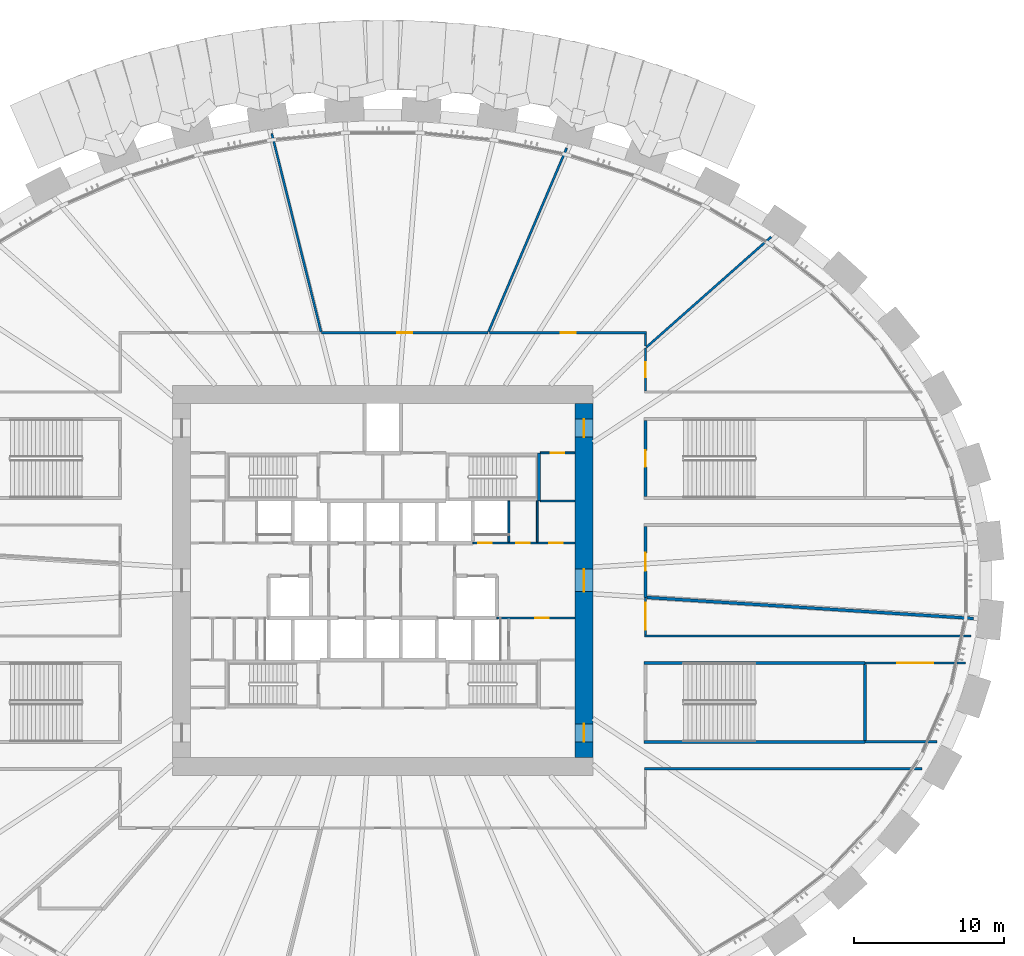
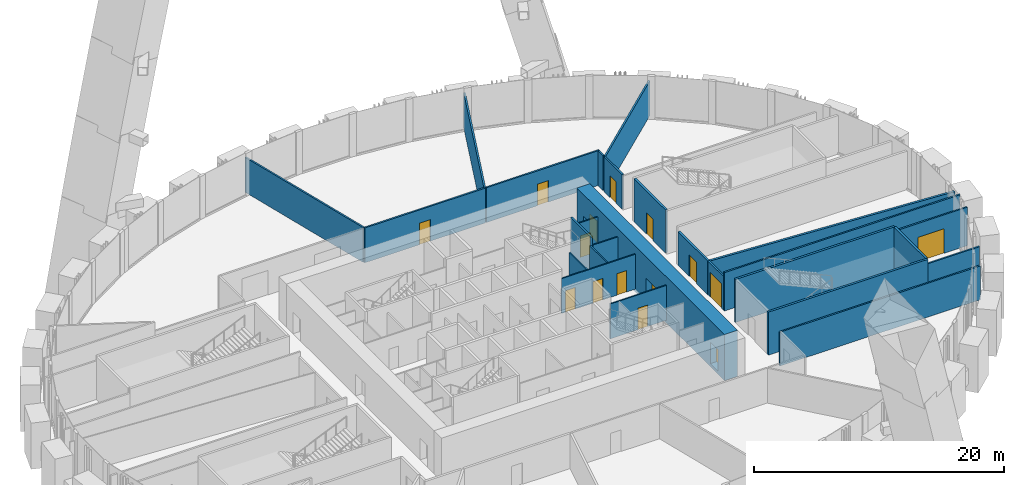
# One storey, part 11 of 23: 26 walls, 15 doors, 15 openings.
"""IFC4 building model written with IfcOpenShell, lengths in metres."""

import ifcopenshell
import ifcopenshell.guid

model = None  # the IFC model being written
_history = None  # IfcOwnerHistory: only IFC2X3 demands one
_inside = {}  # id of a spatial element -> (the spatial element, [elements in it])
_under = {}  # id of a project, library or spatial element -> (it, [spatial elements below it])
_declared = {}  # id of a project -> (the project, [libraries it declares])
_typed = {}  # id of a type object -> (the type object, [elements of that type])
_made_of = {}  # id of a material, layer set ... -> (it, [elements and type objects made of it])


def new_model(schema):
    """Start an empty IFC model of exactly this schema.

    Asked for "IFC4X3", IfcOpenShell would pick the latest addendum, in which some entities
    have other attributes; the version numbers below select the first issue.
    IFC2X3 requires an IfcOwnerHistory on every rooted entity: one is made here for all.
    """
    global model, _history
    if schema == "IFC4X3":
        model = ifcopenshell.file(schema_version=(4, 3, 0, 0))
    else:
        model = ifcopenshell.file(schema=schema)
    _inside.clear()
    _under.clear()
    _declared.clear()
    _typed.clear()
    _made_of.clear()
    _history = None
    if model.schema == "IFC2X3":
        org = make("IfcOrganization", Name="unknown")
        user = make(
            "IfcPersonAndOrganization",
            ThePerson=make("IfcPerson", FamilyName="unknown"),
            TheOrganization=org,
        )
        app = make(
            "IfcApplication",
            ApplicationDeveloper=org,
            Version="unknown",
            ApplicationFullName="unknown",
            ApplicationIdentifier="unknown",
        )
        _history = make(
            "IfcOwnerHistory",
            OwningUser=user,
            OwningApplication=app,
            ChangeAction="ADDED",
            CreationDate=0,
        )
    return model


def make(cls, **values):
    """One entity of the class cls with the attributes given. An attribute that is None is left unset."""
    return model.create_entity(
        cls, **{name: value for name, value in values.items() if value is not None}
    )


def rooted(cls, **values):
    """An entity with a GlobalId (a new one), such as an element, a storey or a relation."""
    return make(cls, GlobalId=ifcopenshell.guid.new(), OwnerHistory=_history, **values)


def si_unit(unit_type, name, prefix=None):
    """IfcSIUnit, for example si_unit("LENGTHUNIT", "METRE", prefix="MILLI")."""
    return make("IfcSIUnit", UnitType=unit_type, Prefix=prefix, Name=name)


def assignment(units):
    """IfcUnitAssignment: the units of a project."""
    return None if units is None else make("IfcUnitAssignment", Units=units)


def point(xyz):
    """IfcCartesianPoint."""
    return None if xyz is None else make("IfcCartesianPoint", Coordinates=xyz)


def direction(xyz):
    """IfcDirection."""
    return None if xyz is None else make("IfcDirection", DirectionRatios=xyz)


def frame(location, z_axis=None, x_axis=None):
    """IfcAxis2Placement3D, a coordinate frame: its origin and axes. An axis left out is left unset."""
    return make(
        "IfcAxis2Placement3D",
        Location=point(location),
        Axis=direction(z_axis),
        RefDirection=direction(x_axis),
    )


def frame_2d(location, x_axis=None):
    """IfcAxis2Placement2D, a coordinate frame in the plane: its origin and x axis."""
    return make(
        "IfcAxis2Placement2D", Location=point(location), RefDirection=direction(x_axis)
    )


def origin():
    """The frame at (0, 0, 0) with its axes left unset."""
    return frame((0.0, 0.0, 0.0))


def place(relative_to, where):
    """IfcLocalPlacement: puts the frame where relative to a parent placement (None: the world)."""
    return make(
        "IfcLocalPlacement", PlacementRelTo=relative_to, RelativePlacement=where
    )


def context(
    kind, dimensions, precision=None, world=None, true_north=None, identifier=None
):
    """IfcGeometricRepresentationContext, for example the 3D "Model" context."""
    return make(
        "IfcGeometricRepresentationContext",
        ContextIdentifier=identifier,
        ContextType=kind,
        CoordinateSpaceDimension=dimensions,
        Precision=precision,
        WorldCoordinateSystem=world,
        TrueNorth=true_north,
    )


def subcontext(parent, identifier, kind, view, scale=None):
    """IfcGeometricRepresentationSubContext, for example "Body" below "Model"."""
    return make(
        "IfcGeometricRepresentationSubContext",
        ContextIdentifier=identifier,
        ContextType=kind,
        ParentContext=parent,
        TargetScale=scale,
        TargetView=view,
    )


def project(units=None, contexts=None):
    """IfcProject with its units and contexts."""
    return rooted(
        "IfcProject",
        Name="project",
        RepresentationContexts=contexts,
        UnitsInContext=assignment(units),
    )


def spatial(cls, under=None, at=None, **own):
    """A site, building, storey or space (cls), placed at a placement, below another one or the project."""
    s = rooted(cls, ObjectPlacement=at, **own)
    if under is not None:
        _under.setdefault(under.id(), (under, []))[1].append(s)
    return s


def profile(cls, at=None, kind="AREA", **sizes):
    """A parametric profile (cls). Its sizes go by their IFC names, for example OverallWidth=200.0."""
    return make(cls, ProfileType=kind, Position=at, **sizes)


def rectangle(**sizes):
    """IfcRectangleProfileDef."""
    return profile("IfcRectangleProfileDef", **sizes)


def extrude(swept, where, along, depth):
    """IfcExtrudedAreaSolid: the profile swept, set in the frame where, extruded along a direction by depth."""
    return make(
        "IfcExtrudedAreaSolid",
        SweptArea=swept,
        Position=where,
        ExtrudedDirection=direction(along),
        Depth=depth,
    )


def shape(context_of_items, identifier, shape_type, items):
    """IfcShapeRepresentation: the items that make up one representation, for example the "Body"."""
    return make(
        "IfcShapeRepresentation",
        ContextOfItems=context_of_items,
        RepresentationIdentifier=identifier,
        RepresentationType=shape_type,
        Items=items,
    )


def source(mapping_origin, context_of_items, identifier, shape_type, items):
    """IfcRepresentationMap: a shape defined once, which mapped items show again and again."""
    return make(
        "IfcRepresentationMap",
        MappingOrigin=mapping_origin,
        MappedRepresentation=shape(context_of_items, identifier, shape_type, items),
    )


def transform(
    local_origin,
    x_axis=None,
    y_axis=None,
    z_axis=None,
    scale=None,
    scale2=None,
    scale3=None,
    uniform=True,
):
    """IfcCartesianTransformationOperator3D, or its non-uniform kind. x_axis, y_axis, z_axis: its Axis1, 2, 3."""
    if uniform:
        return make(
            "IfcCartesianTransformationOperator3D",
            Axis1=direction(x_axis),
            Axis2=direction(y_axis),
            LocalOrigin=point(local_origin),
            Scale=scale,
            Axis3=direction(z_axis),
        )
    return make(
        "IfcCartesianTransformationOperator3DnonUniform",
        Axis1=direction(x_axis),
        Axis2=direction(y_axis),
        LocalOrigin=point(local_origin),
        Scale=scale,
        Axis3=direction(z_axis),
        Scale2=scale2,
        Scale3=scale3,
    )


def mapped(mapping_source, mapping_target):
    """IfcMappedItem: shows the shape of a source again, moved by a transform."""
    return make(
        "IfcMappedItem", MappingSource=mapping_source, MappingTarget=mapping_target
    )


def material(Name=None, Category=None):
    """IfcMaterial."""
    return make("IfcMaterial", Name=Name, Category=Category)


def layer(
    of_material, thickness, ventilated=None, Name=None, Category=None, Priority=None
):
    """IfcMaterialLayer: one layer of a wall or slab, of a material (None: an air gap)."""
    return make(
        "IfcMaterialLayer",
        Material=of_material,
        LayerThickness=thickness,
        IsVentilated=ventilated,
        Name=Name,
        Category=Category,
        Priority=Priority,
    )


def layer_set(layers, Name=None):
    """IfcMaterialLayerSet."""
    return make("IfcMaterialLayerSet", MaterialLayers=layers, LayerSetName=Name)


def made_of(thing, what):
    """Note that an element or type object is made of a material, layer set ...; save() writes the relation."""
    if what is not None:
        _made_of.setdefault(what.id(), (what, []))[1].append(thing)
    return thing


def type_object(cls, material=None, **own):
    """A type object (cls), such as IfcWallType, which elements share."""
    return made_of(rooted(cls, **own), material)


def element(
    cls,
    number,
    at=None,
    inside=None,
    cuts=None,
    type_object=None,
    material=None,
    context=None,
    identifier="Body",
    shape_type=None,
    held_by="IfcProductDefinitionShape",
    body=None,
    shapes=None,
    **own,
):
    """One element of the class cls, such as IfcWall. Its Tag is "e" and its number.

    at: its placement. inside: the storey or other place that contains it. cuts: it is an
    opening in that element (IfcRelVoidsElement). A single representation is given by context,
    identifier, shape_type and body (its items); several are given by shapes. held_by: the class
    of the entity that holds the representations. save() writes the other relations.
    """
    e = rooted(cls, Tag="e%d" % number, ObjectPlacement=at, **own)
    if body is not None:
        shapes = [shape(context, identifier, shape_type, body)]
    if shapes is not None:
        e.Representation = make(held_by, Representations=shapes)
    if inside is not None:
        _inside.setdefault(inside.id(), (inside, []))[1].append(e)
    if cuts is not None:
        rooted(
            "IfcRelVoidsElement", RelatingBuildingElement=cuts, RelatedOpeningElement=e
        )
    if type_object is not None:
        _typed.setdefault(type_object.id(), (type_object, []))[1].append(e)
    return made_of(e, material)


def fill(opening, filler):
    """IfcRelFillsElement: the door or window that sits in an opening."""
    return rooted(
        "IfcRelFillsElement",
        RelatingOpeningElement=opening,
        RelatedBuildingElement=filler,
    )


def aggregate(whole, parts):
    """IfcRelAggregates: a whole, such as a stair, and the parts it consists of."""
    return rooted("IfcRelAggregates", RelatingObject=whole, RelatedObjects=parts)


def save(model, path):
    """Write the relations noted so far, then the file.

    IfcRelAggregates (storeys below a building ...), IfcRelContainedInSpatialStructure (elements
    in a storey), IfcRelDefinesByType, IfcRelAssociatesMaterial and IfcRelDeclares: one each for
    every whole, place, type object, material and project.
    """
    for whole, parts in _under.values():
        aggregate(whole, parts)
    for where, things in _inside.values():
        rooted(
            "IfcRelContainedInSpatialStructure",
            RelatedElements=things,
            RelatingStructure=where,
        )
    for kind, things in _typed.values():
        rooted("IfcRelDefinesByType", RelatedObjects=things, RelatingType=kind)
    for what, things in _made_of.values():
        rooted("IfcRelAssociatesMaterial", RelatedObjects=things, RelatingMaterial=what)
    for by, libraries in _declared.values():
        rooted("IfcRelDeclares", RelatingContext=by, RelatedDefinitions=libraries)
    model.write(path)


model = new_model("IFC4")

# Units and contexts
model_context = context("Model", 3, precision=1e-05, world=origin(), true_north=direction((0.0, 1.0)))
body_context = subcontext(model_context, "Body", "Model", "MODEL_VIEW")
ifc_project = project(units=[si_unit("LENGTHUNIT", "METRE"), si_unit("AREAUNIT", "SQUARE_METRE"), si_unit("VOLUMEUNIT", "CUBIC_METRE"), si_unit("PLANEANGLEUNIT", "RADIAN"), si_unit("MASSUNIT", "GRAM", prefix="KILO")], contexts=[model_context])

# Site, building, storey
site_placement = place(None, origin())
site = spatial("IfcSite", under=ifc_project, at=site_placement, CompositionType="ELEMENT")
building_placement = place(site_placement, origin())
building = spatial("IfcBuilding", under=site, at=building_placement, Name="Embergate Tower", CompositionType="ELEMENT")
storey_placement = place(building_placement, frame((0.0, 0.0, 29.0)))
storey = spatial("IfcBuildingStorey", under=building, at=storey_placement, Name="L03", CompositionType="ELEMENT", Elevation=29.0)

# Wall, openings, doors
ifc_material_1 = material(Name="Concrete C80", Category="concrete")
ifc_layer_1 = layer(ifc_material_1, 1.199951171875)
ifc_layer_set_1 = layer_set([ifc_layer_1], Name="Concrete C80")
wall_type_1 = type_object("IfcWallType", Name="Core outer wall C80 1200", PredefinedType="SHEAR", material=ifc_layer_set_1)
shared_shape_1 = source(origin(), body_context, "Body", "SweptSolid", [
    extrude(rectangle(XDim=23.60009765625, YDim=1.199951171875, at=frame_2d((11.800048828125, 0.0))), origin(), (0.0, 0.0, 1.0), 4.5),
])
wall_1_placement = place(storey_placement, frame((13.39990234375, -11.800048828125, -0.300048828125), z_axis=(0.0, 0.0, 1.0), x_axis=(0.0, 1.0, 0.0)))
wall_1 = element("IfcWall", 1, at=wall_1_placement, inside=storey, type_object=wall_type_1, Name="CW-L03-E", PredefinedType="SHEAR", context=body_context, shape_type="MappedRepresentation", body=[
    mapped(shared_shape_1, transform((0.0, 0.0, 0.0))),
])
shared_shape_2 = source(origin(), body_context, "Body", "SweptSolid", [
    extrude(rectangle(XDim=1.199951171875, YDim=2.10009765625, at=frame_2d((0.60009765625, 1.050048828125))), frame((0.0, 0.60986328125, 0.0), z_axis=(0.0, -1.0, 0.0), x_axis=(1.0, 0.0, 0.0)), (0.0, 0.0, 1.0), 1.219970703125),
])
opening_1_placement = place(wall_1_placement, frame((21.35009765625, 0.0, 0.300048828125)))
opening_1 = element("IfcOpeningElement", 2, at=opening_1_placement, cuts=wall_1, Name="Opening IF-1", PredefinedType="OPENING", context=body_context, shape_type="MappedRepresentation", body=[
    mapped(shared_shape_2, transform((0.0, 0.0, 0.0))),
])
opening_2_placement = place(wall_1_placement, frame((1.050048828125, 0.0, 0.300048828125)))
opening_2 = element("IfcOpeningElement", 3, at=opening_2_placement, cuts=wall_1, Name="Opening IF-1", PredefinedType="OPENING", context=body_context, shape_type="MappedRepresentation", body=[
    mapped(shared_shape_2, transform((0.0, 0.0, 0.0))),
])
shared_shape_3 = source(origin(), body_context, "Body", "SweptSolid", [
    extrude(rectangle(XDim=1.5, YDim=2.10009765625, at=frame_2d((0.75, 1.050048828125))), frame((0.0, 0.60986328125, 0.0), z_axis=(0.0, -1.0, 0.0), x_axis=(1.0, 0.0, 0.0)), (0.0, 0.0, 1.0), 1.219970703125),
])
opening_3_placement = place(wall_1_placement, frame((11.050048828125, 0.0, 0.300048828125)))
opening_3 = element("IfcOpeningElement", 4, at=opening_3_placement, cuts=wall_1, Name="Opening IF-3", PredefinedType="OPENING", context=body_context, shape_type="MappedRepresentation", body=[
    mapped(shared_shape_3, transform((0.0, 0.0, 0.0))),
])
ifc_material_2 = material(Name="Escape fire door 1200")
door_type_1 = type_object("IfcDoorType", Name="Escape fire door 1200", OperationType="SINGLE_SWING_LEFT", PredefinedType="DOOR", material=ifc_material_2)
shared_shape_4 = source(origin(), body_context, "Body", "SweptSolid", [
    extrude(rectangle(XDim=1.199951171875, YDim=2.10009765625, at=frame_2d((0.60009765625, 1.050048828125))), frame((0.0, 0.02490234375, 0.0), z_axis=(0.0, -1.0, 0.0), x_axis=(1.0, 0.0, 0.0)), (0.0, 0.0, 1.0), 0.050048828125),
])
door_1_placement = place(opening_1_placement, origin())
door_1 = element("IfcDoor", 5, at=door_1_placement, inside=storey, type_object=door_type_1, Name="IF-1 door", OperationType="SINGLE_SWING_RIGHT", OverallHeight=2.10009765625, OverallWidth=1.199951171875, PredefinedType="DOOR", context=body_context, shape_type="MappedRepresentation", body=[
    mapped(shared_shape_4, transform((0.0, 0.0, 0.0))),
])
fill(opening_1, door_1)
door_2_placement = place(opening_2_placement, origin())
door_2 = element("IfcDoor", 6, at=door_2_placement, inside=storey, type_object=door_type_1, Name="IF-1 door", OperationType="SINGLE_SWING_LEFT", OverallHeight=2.10009765625, OverallWidth=1.199951171875, PredefinedType="DOOR", context=body_context, shape_type="MappedRepresentation", body=[
    mapped(shared_shape_4, transform((0.0, 0.0, 0.0))),
])
fill(opening_2, door_2)
ifc_material_3 = material(Name="Lobby fire door pair 1500")
door_type_2 = type_object("IfcDoorType", Name="Lobby fire door pair 1500", OperationType="DOUBLE_DOOR_SINGLE_SWING", PredefinedType="DOOR", material=ifc_material_3)
shared_shape_5 = source(origin(), body_context, "Body", "SweptSolid", [
    extrude(rectangle(XDim=1.5, YDim=2.10009765625, at=frame_2d((0.75, 1.050048828125))), frame((0.0, 0.02490234375, 0.0), z_axis=(0.0, -1.0, 0.0), x_axis=(1.0, 0.0, 0.0)), (0.0, 0.0, 1.0), 0.050048828125),
])
door_3_placement = place(opening_3_placement, origin())
door_3 = element("IfcDoor", 7, at=door_3_placement, inside=storey, type_object=door_type_2, Name="IF-3 door", OperationType="DOUBLE_DOOR_SINGLE_SWING", OverallHeight=2.10009765625, OverallWidth=1.5, PredefinedType="DOOR", context=body_context, shape_type="MappedRepresentation", body=[
    mapped(shared_shape_5, transform((0.0, 0.0, 0.0))),
])
fill(opening_3, door_3)

ifc_material_4 = material(Name="Core partition blockwork 120")
ifc_layer_2 = layer(ifc_material_4, 0.1201171875)
ifc_layer_set_2 = layer_set([ifc_layer_2], Name="Core partition blockwork 120")
wall_type_2 = type_object("IfcWallType", Name="Core partition blockwork 120", PredefinedType="PARTITIONING", material=ifc_layer_set_2)
shared_shape_6 = source(origin(), body_context, "Body", "SweptSolid", [
    extrude(rectangle(XDim=6.800048828125, YDim=0.1201171875, at=frame_2d((3.39990234375, 0.0))), origin(), (0.0, 0.0, 1.0), 3.39990234375),
])
wall_2_placement = place(storey_placement, frame((6.0, 2.5, 0.0), z_axis=(0.0, 0.0, 1.0), x_axis=(1.0, 0.0, 0.0)))
wall_2 = element("IfcWall", 8, at=wall_2_placement, inside=storey, type_object=wall_type_2, Name="IP-3 wall", PredefinedType="PARTITIONING", context=body_context, shape_type="MappedRepresentation", body=[
    mapped(shared_shape_6, transform((0.0, 0.0, 0.0))),
])
shared_shape_7 = source(origin(), body_context, "Body", "SweptSolid", [
    extrude(rectangle(XDim=0.89990234375, YDim=2.10009765625, at=frame_2d((0.449951171875, 1.050048828125))), frame((0.0, 0.070068359375, 0.0), z_axis=(0.0, -1.0, 0.0), x_axis=(1.0, 0.0, 0.0)), (0.0, 0.0, 1.0), 0.14013671875),
])
opening_4_placement = place(wall_2_placement, frame((0.35009765625, 0.0, 0.0)))
opening_4 = element("IfcOpeningElement", 9, at=opening_4_placement, cuts=wall_2, Name="Opening ID-1", PredefinedType="OPENING", context=body_context, shape_type="MappedRepresentation", body=[
    mapped(shared_shape_7, transform((0.0, 0.0, 0.0))),
])
opening_5_placement = place(wall_2_placement, frame((2.89599609375, 0.0, 0.0)))
opening_5 = element("IfcOpeningElement", 10, at=opening_5_placement, cuts=wall_2, Name="Opening ID-1", PredefinedType="OPENING", context=body_context, shape_type="MappedRepresentation", body=[
    mapped(shared_shape_7, transform((0.0, 0.0, 0.0))),
])
opening_6_placement = place(wall_2_placement, frame((5.095947265625, 0.0, 0.0)))
opening_6 = element("IfcOpeningElement", 11, at=opening_6_placement, cuts=wall_2, Name="Opening ID-1", PredefinedType="OPENING", context=body_context, shape_type="MappedRepresentation", body=[
    mapped(shared_shape_7, transform((0.0, 0.0, 0.0))),
])
ifc_material_5 = material(Name="Interior door 900")
door_type_3 = type_object("IfcDoorType", Name="Interior door 900", OperationType="SINGLE_SWING_LEFT", PredefinedType="DOOR", material=ifc_material_5)
shared_shape_8 = source(origin(), body_context, "Body", "SweptSolid", [
    extrude(rectangle(XDim=0.89990234375, YDim=2.10009765625, at=frame_2d((0.449951171875, 1.050048828125))), frame((0.0, 0.02490234375, 0.0), z_axis=(0.0, -1.0, 0.0), x_axis=(1.0, 0.0, 0.0)), (0.0, 0.0, 1.0), 0.050048828125),
])
door_4_placement = place(opening_4_placement, origin())
door_4 = element("IfcDoor", 12, at=door_4_placement, inside=storey, type_object=door_type_3, Name="ID-1 door", OperationType="SINGLE_SWING_RIGHT", OverallHeight=2.10009765625, OverallWidth=0.89990234375, PredefinedType="DOOR", context=body_context, shape_type="MappedRepresentation", body=[
    mapped(shared_shape_8, transform((0.0, 0.0, 0.0))),
])
fill(opening_4, door_4)
door_5_placement = place(opening_5_placement, origin())
door_5 = element("IfcDoor", 13, at=door_5_placement, inside=storey, type_object=door_type_3, Name="ID-1 door", OperationType="SINGLE_SWING_LEFT", OverallHeight=2.10009765625, OverallWidth=0.89990234375, PredefinedType="DOOR", context=body_context, shape_type="MappedRepresentation", body=[
    mapped(shared_shape_8, transform((0.0, 0.0, 0.0))),
])
fill(opening_5, door_5)
door_6_placement = place(opening_6_placement, origin())
door_6 = element("IfcDoor", 14, at=door_6_placement, inside=storey, type_object=door_type_3, Name="ID-1 door", OperationType="SINGLE_SWING_LEFT", OverallHeight=2.10009765625, OverallWidth=0.89990234375, PredefinedType="DOOR", context=body_context, shape_type="MappedRepresentation", body=[
    mapped(shared_shape_8, transform((0.0, 0.0, 0.0))),
])
fill(opening_6, door_6)

# Walls
shared_shape_9 = source(origin(), body_context, "Body", "SweptSolid", [
    extrude(rectangle(XDim=2.739990234375, YDim=0.1201171875, at=frame_2d((1.3701171875, 0.0))), origin(), (0.0, 0.0, 1.0), 3.39990234375),
])
for number, where, z_axis, x_axis, name in (
    (15, (8.39990234375, 2.56005859375, 0.0), (0.0, 0.0, 1.0), (0.0, 1.0, 0.0), "IP-3 wall"),
    (16, (10.2919921875, 2.56005859375, 0.0), (0.0, 0.0, 1.0), (0.0, 1.0, 0.0), "IP-3 wall"),
):
    element("IfcWall", number, at=place(storey_placement, frame(where, z_axis=z_axis, x_axis=x_axis)), inside=storey, type_object=wall_type_2, Name=name, PredefinedType="PARTITIONING", context=body_context, shape_type="MappedRepresentation", body=[
        mapped(shared_shape_9, transform((0.0, 0.0, 0.0))),
    ])

# Wall, opening, door
shared_shape_10 = source(origin(), body_context, "Body", "SweptSolid", [
    extrude(rectangle(XDim=5.199951171875, YDim=0.1201171875, at=frame_2d((2.60009765625, 0.0))), origin(), (0.0, 0.0, 1.0), 3.39990234375),
])
wall_3_placement = place(storey_placement, frame((12.800048828125, -2.5, 0.0), z_axis=(0.0, 0.0, 1.0), x_axis=(-1.0, 0.0, 0.0)))
wall_3 = element("IfcWall", 17, at=wall_3_placement, inside=storey, type_object=wall_type_2, Name="IP-3 wall", PredefinedType="PARTITIONING", context=body_context, shape_type="MappedRepresentation", body=[
    mapped(shared_shape_10, transform((0.0, 0.0, 0.0))),
])
opening_7_placement = place(wall_3_placement, frame((1.75, 0.0, 0.0)))
opening_7 = element("IfcOpeningElement", 18, at=opening_7_placement, cuts=wall_3, Name="Opening ID-1", PredefinedType="OPENING", context=body_context, shape_type="MappedRepresentation", body=[
    mapped(shared_shape_7, transform((0.0, 0.0, 0.0))),
])
door_7_placement = place(opening_7_placement, origin())
door_7 = element("IfcDoor", 19, at=door_7_placement, inside=storey, type_object=door_type_3, Name="ID-1 door", OperationType="SINGLE_SWING_RIGHT", OverallHeight=2.10009765625, OverallWidth=0.89990234375, PredefinedType="DOOR", context=body_context, shape_type="MappedRepresentation", body=[
    mapped(shared_shape_8, transform((0.0, 0.0, 0.0))),
])
fill(opening_7, door_7)

# Wall
ifc_material_6 = material(Name="Concrete C50", Category="concrete")
ifc_layer_3 = layer(ifc_material_6, 0.199951171875)
ifc_layer_set_3 = layer_set([ifc_layer_3], Name="Concrete C50")
wall_type_3 = type_object("IfcWallType", Name="Stair enclosure wall reinforced concrete 250", PredefinedType="SHEAR", material=ifc_layer_set_3)
shared_shape_11 = source(origin(), body_context, "Body", "SweptSolid", [
    extrude(rectangle(XDim=3.199951171875, YDim=0.199951171875, at=frame_2d((1.60009765625, 0.0))), origin(), (0.0, 0.0, 1.0), 4.199951171875),
])
wall_4_placement = place(storey_placement, frame((10.39990234375, 5.300048828125, 0.0), z_axis=(0.0, 0.0, 1.0), x_axis=(0.0, 1.0, 0.0)))
element("IfcWall", 20, at=wall_4_placement, inside=storey, type_object=wall_type_3, Name="SE-1 wall", PredefinedType="SHEAR", context=body_context, shape_type="MappedRepresentation", body=[
    mapped(shared_shape_11, transform((0.0, 0.0, 0.0))),
])

# Wall, opening, door
shared_shape_12 = source(origin(), body_context, "Body", "SweptSolid", [
    extrude(rectangle(XDim=2.300048828125, YDim=0.1201171875, at=frame_2d((1.14990234375, 0.0))), origin(), (0.0, 0.0, 1.0), 3.39990234375),
])
wall_5_placement = place(storey_placement, frame((10.5, 8.5, 0.0), z_axis=(0.0, 0.0, 1.0), x_axis=(1.0, 0.0, 0.0)))
wall_5 = element("IfcWall", 21, at=wall_5_placement, inside=storey, type_object=wall_type_2, Name="IP-3 wall", PredefinedType="PARTITIONING", context=body_context, shape_type="MappedRepresentation", body=[
    mapped(shared_shape_12, transform((0.0, 0.0, 0.0))),
])
opening_8_placement = place(wall_5_placement, frame((0.699951171875, 0.0, 0.0)))
opening_8 = element("IfcOpeningElement", 22, at=opening_8_placement, cuts=wall_5, Name="Opening ID-1", PredefinedType="OPENING", context=body_context, shape_type="MappedRepresentation", body=[
    mapped(shared_shape_7, transform((0.0, 0.0, 0.0))),
])
door_8_placement = place(opening_8_placement, origin())
door_8 = element("IfcDoor", 23, at=door_8_placement, inside=storey, type_object=door_type_3, Name="ID-1 door", OperationType="SINGLE_SWING_LEFT", OverallHeight=2.10009765625, OverallWidth=0.89990234375, PredefinedType="DOOR", context=body_context, shape_type="MappedRepresentation", body=[
    mapped(shared_shape_8, transform((0.0, 0.0, 0.0))),
])
fill(opening_8, door_8)

# Walls
wall_6_placement = place(storey_placement, frame((12.800048828125, 5.300048828125, 0.0), z_axis=(0.0, 0.0, 1.0), x_axis=(-1.0, 0.0, 0.0)))
element("IfcWall", 24, at=wall_6_placement, inside=storey, type_object=wall_type_2, Name="IP-3 wall", PredefinedType="PARTITIONING", context=body_context, shape_type="MappedRepresentation", body=[
    mapped(shared_shape_12, transform((0.0, 0.0, 0.0))),
])
ifc_material_7 = material(Name="Plasterboard on steel stud", Category="steel")
ifc_layer_4 = layer(ifc_material_7, 0.14990234375)
ifc_layer_set_4 = layer_set([ifc_layer_4], Name="Plasterboard on steel stud")
wall_type_4 = type_object("IfcWallType", Name="Partition wall 150 board", PredefinedType="PARTITIONING", material=ifc_layer_set_4)
shared_shape_13 = source(origin(), body_context, "Body", "SweptSolid", [
    extrude(rectangle(XDim=21.764892578125, YDim=0.14990234375, at=frame_2d((10.88232421875, 0.0))), origin(), (0.0, 0.0, 1.0), 3.75),
])
wall_7_placement = place(storey_placement, frame((39.18994140625, -3.699951171875, 0.0), z_axis=(0.0, 0.0, 1.0), x_axis=(-1.0, 0.0, 0.0)))
element("IfcWall", 25, at=wall_7_placement, inside=storey, type_object=wall_type_4, Name="Partition 066", PredefinedType="PARTITIONING", context=body_context, shape_type="MappedRepresentation", body=[
    mapped(shared_shape_13, transform((0.0, 0.0, 0.0))),
])

# Wall, opening, door
shared_shape_14 = source(origin(), body_context, "Body", "SweptSolid", [
    extrude(rectangle(XDim=6.7119140625, YDim=0.14990234375, at=frame_2d((3.35595703125, 0.0))), origin(), (0.0, 0.0, 1.0), 3.75),
])
wall_8_placement = place(storey_placement, frame((32.1201171875, -5.5, 0.0), z_axis=(0.0, 0.0, 1.0), x_axis=(1.0, 0.0, 0.0)))
wall_8 = element("IfcWall", 26, at=wall_8_placement, inside=storey, type_object=wall_type_4, Name="Partition 059", PredefinedType="PARTITIONING", context=body_context, shape_type="MappedRepresentation", body=[
    mapped(shared_shape_14, transform((0.0, 0.0, 0.0))),
])
shared_shape_15 = source(origin(), body_context, "Body", "SweptSolid", [
    extrude(rectangle(XDim=2.39990234375, YDim=2.39990234375, at=frame_2d((1.199951171875, 1.199951171875))), frame((0.0, 0.0849609375, 0.0), z_axis=(0.0, -1.0, 0.0), x_axis=(1.0, 0.0, 0.0)), (0.0, 0.0, 1.0), 0.169921875),
])
opening_9_placement = place(wall_8_placement, frame((2.156005859375, 0.0, 0.0)))
opening_9 = element("IfcOpeningElement", 27, at=opening_9_placement, cuts=wall_8, Name="Opening DS-078", PredefinedType="OPENING", context=body_context, shape_type="MappedRepresentation", body=[
    mapped(shared_shape_15, transform((0.0, 0.0, 0.0))),
])
ifc_material_8 = material(Name="Timber door leaf, steel frame", Category="steel")
door_type_4 = type_object("IfcDoorType", Name="Double door 2400x2400", OperationType="DOUBLE_DOOR_SINGLE_SWING", PredefinedType="DOOR", material=ifc_material_8)
shared_shape_16 = source(origin(), body_context, "Body", "SweptSolid", [
    extrude(rectangle(XDim=2.39990234375, YDim=2.39990234375, at=frame_2d((1.199951171875, 1.199951171875))), frame((0.0, 0.02490234375, 0.0), z_axis=(0.0, -1.0, 0.0), x_axis=(1.0, 0.0, 0.0)), (0.0, 0.0, 1.0), 0.050048828125),
])
door_9_placement = place(opening_9_placement, origin())
door_9 = element("IfcDoor", 28, at=door_9_placement, inside=storey, type_object=door_type_4, Name="Door to Auditorium", OperationType="SINGLE_SWING_LEFT", OverallHeight=2.39990234375, OverallWidth=2.39990234375, PredefinedType="DOOR", context=body_context, shape_type="MappedRepresentation", body=[
    mapped(shared_shape_16, transform((0.0, 0.0, 0.0))),
])
fill(opening_9, door_9)

# Walls
shared_shape_17 = source(origin(), body_context, "Body", "SweptSolid", [
    extrude(rectangle(XDim=4.796875, YDim=0.14990234375, at=frame_2d((2.3984375, 0.0))), origin(), (0.0, 0.0, 1.0), 3.75),
])
wall_9_placement = place(storey_placement, frame((36.9169921875, -10.75, 0.0), z_axis=(0.0, 0.0, 1.0), x_axis=(-1.0, 0.0, 0.0)))
element("IfcWall", 29, at=wall_9_placement, inside=storey, type_object=wall_type_4, Name="Partition 064", PredefinedType="PARTITIONING", context=body_context, shape_type="MappedRepresentation", body=[
    mapped(shared_shape_17, transform((0.0, 0.0, 0.0))),
])
ifc_material_9 = material(Name="Concrete C40", Category="concrete")
ifc_layer_5 = layer(ifc_material_9, 0.199951171875)
ifc_layer_set_5 = layer_set([ifc_layer_5], Name="Concrete C40")
wall_type_5 = type_object("IfcWallType", Name="Stair enclosure wall RC 200", PredefinedType="STANDARD", material=ifc_layer_set_5)
shared_shape_18 = source(origin(), body_context, "Body", "SweptSolid", [
    extrude(rectangle(XDim=14.72021484375, YDim=0.199951171875, at=frame_2d((7.360107421875, 0.0))), origin(), (0.0, 0.0, 1.0), 4.199951171875),
])
for number, where, z_axis, x_axis, name in (
    (30, (17.39990234375, -10.75, 0.0), (0.0, 0.0, 1.0), (1.0, 0.0, 0.0), "Stair wall 046"),
    (31, (32.1201171875, -5.5, 0.0), (0.0, 0.0, 1.0), (-1.0, 0.0, 0.0), "Stair wall 058"),
):
    element("IfcWall", number, at=place(storey_placement, frame(where, z_axis=z_axis, x_axis=x_axis)), inside=storey, type_object=wall_type_5, Name=name, PredefinedType="STANDARD", context=body_context, shape_type="MappedRepresentation", body=[
        mapped(shared_shape_18, transform((0.0, 0.0, 0.0))),
    ])

# Wall, opening, door
shared_shape_19 = source(origin(), body_context, "Body", "SweptSolid", [
    extrude(rectangle(XDim=5.0498046875, YDim=0.199951171875, at=frame_2d((2.52490234375, 0.0))), origin(), (0.0, 0.0, 1.0), 4.199951171875),
])
wall_10_placement = place(storey_placement, frame((17.5, 10.64990234375, 0.0), z_axis=(0.0, 0.0, 1.0), x_axis=(0.0, -1.0, 0.0)))
wall_10 = element("IfcWall", 32, at=wall_10_placement, inside=storey, type_object=wall_type_5, Name="Stair wall 053", PredefinedType="STANDARD", context=body_context, shape_type="MappedRepresentation", body=[
    mapped(shared_shape_19, transform((0.0, 0.0, 0.0))),
])
shared_shape_20 = source(origin(), body_context, "Body", "SweptSolid", [
    extrude(rectangle(XDim=1.10009765625, YDim=2.10009765625, at=frame_2d((0.550048828125, 1.050048828125))), frame((0.0, 0.10986328125, 0.0), z_axis=(0.0, -1.0, 0.0), x_axis=(1.0, 0.0, 0.0)), (0.0, 0.0, 1.0), 0.219970703125),
])
opening_10_placement = place(wall_10_placement, frame((1.97509765625, 0.0, 0.0)))
opening_10 = element("IfcOpeningElement", 33, at=opening_10_placement, cuts=wall_10, Name="Opening DS-082", PredefinedType="OPENING", context=body_context, shape_type="MappedRepresentation", body=[
    mapped(shared_shape_20, transform((0.0, 0.0, 0.0))),
])
ifc_material_10 = material(Name="Steel fire door leaf", Category="steel")
door_type_5 = type_object("IfcDoorType", Name="Fire door class B 1100x2100", OperationType="SINGLE_SWING_LEFT", PredefinedType="DOOR", material=ifc_material_10)
shared_shape_21 = source(origin(), body_context, "Body", "SweptSolid", [
    extrude(rectangle(XDim=1.10009765625, YDim=2.10009765625, at=frame_2d((0.550048828125, 1.050048828125))), frame((0.0, 0.02490234375, 0.0), z_axis=(0.0, -1.0, 0.0), x_axis=(1.0, 0.0, 0.0)), (0.0, 0.0, 1.0), 0.050048828125),
])
door_10_placement = place(opening_10_placement, origin())
door_10 = element("IfcDoor", 34, at=door_10_placement, inside=storey, type_object=door_type_5, Name="Door to Exit stair enclosure", OperationType="SINGLE_SWING_LEFT", OverallHeight=2.10009765625, OverallWidth=1.10009765625, PredefinedType="DOOR", context=body_context, shape_type="MappedRepresentation", body=[
    mapped(shared_shape_21, transform((0.0, 0.0, 0.0))),
])
fill(opening_10, door_10)

# Wall
wall_11_placement = place(storey_placement, frame((32.1201171875, -10.64990234375, 0.0), z_axis=(0.0, 0.0, 1.0), x_axis=(0.0, 1.0, 0.0)))
element("IfcWall", 35, at=wall_11_placement, inside=storey, type_object=wall_type_5, Name="Stair wall 057", PredefinedType="STANDARD", context=body_context, shape_type="MappedRepresentation", body=[
    mapped(shared_shape_19, transform((0.0, 0.0, 0.0))),
])

# Wall, opening, door
shared_shape_22 = source(origin(), body_context, "Body", "SweptSolid", [
    extrude(rectangle(XDim=2.498046875, YDim=0.14990234375, at=frame_2d((1.2490234375, 0.0))), origin(), (0.0, 0.0, 1.0), 3.300048828125),
])
wall_12_placement = place(storey_placement, frame((17.5, -1.126953125, 0.0), z_axis=(0.0, 0.0, 1.0), x_axis=(0.0, -1.0, 0.0)))
wall_12 = element("IfcWall", 36, at=wall_12_placement, inside=storey, type_object=wall_type_4, Name="Partition 048", PredefinedType="PARTITIONING", context=body_context, shape_type="MappedRepresentation", body=[
    mapped(shared_shape_22, transform((0.0, 0.0, 0.0))),
])
shared_shape_23 = source(origin(), body_context, "Body", "SweptSolid", [
    extrude(rectangle(XDim=1.800048828125, YDim=2.39990234375, at=frame_2d((0.89990234375, 1.199951171875))), frame((0.0, 0.0849609375, 0.0), z_axis=(0.0, -1.0, 0.0), x_axis=(1.0, 0.0, 0.0)), (0.0, 0.0, 1.0), 0.169921875),
])
opening_11_placement = place(wall_12_placement, frame((0.34912109375, 0.0, 0.0)))
opening_11 = element("IfcOpeningElement", 37, at=opening_11_placement, cuts=wall_12, Name="Opening DS-079", PredefinedType="OPENING", context=body_context, shape_type="MappedRepresentation", body=[
    mapped(shared_shape_23, transform((0.0, 0.0, 0.0))),
])
door_type_6 = type_object("IfcDoorType", Name="Double door 1800x2400", OperationType="DOUBLE_DOOR_SINGLE_SWING", PredefinedType="DOOR", material=ifc_material_8)
shared_shape_24 = source(origin(), body_context, "Body", "SweptSolid", [
    extrude(rectangle(XDim=1.800048828125, YDim=2.39990234375, at=frame_2d((0.89990234375, 1.199951171875))), frame((0.0, 0.02490234375, 0.0), z_axis=(0.0, -1.0, 0.0), x_axis=(1.0, 0.0, 0.0)), (0.0, 0.0, 1.0), 0.050048828125),
])
door_11_placement = place(opening_11_placement, origin())
door_11 = element("IfcDoor", 38, at=door_11_placement, inside=storey, type_object=door_type_6, Name="Door to Auditorium", OperationType="SINGLE_SWING_LEFT", OverallHeight=2.39990234375, OverallWidth=1.800048828125, PredefinedType="DOOR", context=body_context, shape_type="MappedRepresentation", body=[
    mapped(shared_shape_24, transform((0.0, 0.0, 0.0))),
])
fill(opening_11, door_11)

# Wall
shared_shape_25 = source(origin(), body_context, "Body", "SweptSolid", [
    extrude(rectangle(XDim=13.60302734375, YDim=0.14990234375, at=frame_2d((6.801513671875, 0.0))), origin(), (0.0, 0.0, 1.0), 3.39990234375),
])
wall_13_placement = place(storey_placement, frame((-4.116943359375, 16.572998046875, 0.0), z_axis=(0.0, 0.0, 1.0), x_axis=(-0.24105308827, 0.970511931218, 0.0)))
element("IfcWall", 39, at=wall_13_placement, inside=storey, type_object=wall_type_4, Name="Partition 035", PredefinedType="PARTITIONING", context=body_context, shape_type="MappedRepresentation", body=[
    mapped(shared_shape_25, transform((0.0, 0.0, 0.0))),
])

# Wall, opening, door
shared_shape_26 = source(origin(), body_context, "Body", "SweptSolid", [
    extrude(rectangle(XDim=11.1162109375, YDim=0.14990234375, at=frame_2d((5.55810546875, 0.0))), origin(), (0.0, 0.0, 1.0), 3.39990234375),
])
wall_14_placement = place(storey_placement, frame((-4.09912109375, 16.5, 0.0), z_axis=(0.0, 0.0, 1.0), x_axis=(1.0, 0.0, 0.0)))
wall_14 = element("IfcWall", 40, at=wall_14_placement, inside=storey, type_object=wall_type_4, Name="Partition 036", PredefinedType="PARTITIONING", context=body_context, shape_type="MappedRepresentation", body=[
    mapped(shared_shape_26, transform((0.0, 0.0, 0.0))),
])
shared_shape_27 = source(origin(), body_context, "Body", "SweptSolid", [
    extrude(rectangle(XDim=1.0, YDim=2.10009765625, at=frame_2d((0.5, 1.050048828125))), frame((0.0, 0.0849609375, 0.0), z_axis=(0.0, -1.0, 0.0), x_axis=(1.0, 0.0, 0.0)), (0.0, 0.0, 1.0), 0.169921875),
])
opening_12_placement = place(wall_14_placement, frame((5.05810546875, 0.0, 0.0)))
opening_12 = element("IfcOpeningElement", 41, at=opening_12_placement, cuts=wall_14, Name="Opening DS-062", PredefinedType="OPENING", context=body_context, shape_type="MappedRepresentation", body=[
    mapped(shared_shape_27, transform((0.0, 0.0, 0.0))),
])
door_type_7 = type_object("IfcDoorType", Name="Single door 1000x2100", OperationType="SINGLE_SWING_LEFT", PredefinedType="DOOR", material=ifc_material_8)
shared_shape_28 = source(origin(), body_context, "Body", "SweptSolid", [
    extrude(rectangle(XDim=1.0, YDim=2.10009765625, at=frame_2d((0.5, 1.050048828125))), frame((0.0, 0.02490234375, 0.0), z_axis=(0.0, -1.0, 0.0), x_axis=(1.0, 0.0, 0.0)), (0.0, 0.0, 1.0), 0.050048828125),
])
door_12_placement = place(opening_12_placement, origin())
door_12 = element("IfcDoor", 42, at=door_12_placement, inside=storey, type_object=door_type_7, Name="Door to Interpreters' office", OperationType="SINGLE_SWING_LEFT", OverallHeight=2.10009765625, OverallWidth=1.0, PredefinedType="DOOR", context=body_context, shape_type="MappedRepresentation", body=[
    mapped(shared_shape_28, transform((0.0, 0.0, 0.0))),
])
fill(opening_12, door_12)

# Wall
shared_shape_29 = source(origin(), body_context, "Body", "SweptSolid", [
    extrude(rectangle(XDim=13.306396484375, YDim=0.14990234375, at=frame_2d((6.6533203125, 0.0))), origin(), (0.0, 0.0, 1.0), 3.39990234375),
])
wall_15_placement = place(storey_placement, frame((7.0458984375, 16.569091796875, 0.0), z_axis=(0.0, 0.0, 1.0), x_axis=(0.391391217873, 0.920224382731, 0.0)))
element("IfcWall", 43, at=wall_15_placement, inside=storey, type_object=wall_type_4, Name="Partition 039", PredefinedType="PARTITIONING", context=body_context, shape_type="MappedRepresentation", body=[
    mapped(shared_shape_29, transform((0.0, 0.0, 0.0))),
])

# Wall, opening, door
shared_shape_30 = source(origin(), body_context, "Body", "SweptSolid", [
    extrude(rectangle(XDim=10.4580078125, YDim=0.14990234375, at=frame_2d((5.22900390625, 0.0))), origin(), (0.0, 0.0, 1.0), 3.39990234375),
])
wall_16_placement = place(storey_placement, frame((7.116943359375, 16.5, 0.0), z_axis=(0.0, 0.0, 1.0), x_axis=(1.0, 0.0, 0.0)))
wall_16 = element("IfcWall", 44, at=wall_16_placement, inside=storey, type_object=wall_type_4, Name="Partition 040", PredefinedType="PARTITIONING", context=body_context, shape_type="MappedRepresentation", body=[
    mapped(shared_shape_30, transform((0.0, 0.0, 0.0))),
])
opening_13_placement = place(wall_16_placement, frame((4.72900390625, 0.0, 0.0)))
opening_13 = element("IfcOpeningElement", 45, at=opening_13_placement, cuts=wall_16, Name="Opening DS-061", PredefinedType="OPENING", context=body_context, shape_type="MappedRepresentation", body=[
    mapped(shared_shape_27, transform((0.0, 0.0, 0.0))),
])
door_13_placement = place(opening_13_placement, origin())
door_13 = element("IfcDoor", 46, at=door_13_placement, inside=storey, type_object=door_type_7, Name="Door to Catering kitchen", OperationType="SINGLE_SWING_LEFT", OverallHeight=2.10009765625, OverallWidth=1.0, PredefinedType="DOOR", context=body_context, shape_type="MappedRepresentation", body=[
    mapped(shared_shape_28, transform((0.0, 0.0, 0.0))),
])
fill(opening_13, door_13)

# Walls
shared_shape_31 = source(origin(), body_context, "Body", "SweptSolid", [
    extrude(rectangle(XDim=18.510986328125, YDim=0.14990234375, at=frame_2d((9.25537109375, 0.0))), origin(), (0.0, 0.0, 1.0), 3.300048828125),
])
wall_17_placement = place(storey_placement, frame((17.425048828125, -12.550048828125, 0.0), z_axis=(0.0, 0.0, 1.0), x_axis=(1.0, 0.0, 0.0)))
element("IfcWall", 47, at=wall_17_placement, inside=storey, type_object=wall_type_4, Name="Partition 045", PredefinedType="PARTITIONING", context=body_context, shape_type="MappedRepresentation", body=[
    mapped(shared_shape_31, transform((0.0, 0.0, 0.0))),
])
ifc_material_11 = material(Name="Blockwork, plastered", Category="masonry")
ifc_layer_6 = layer(ifc_material_11, 0.199951171875)
ifc_layer_set_6 = layer_set([ifc_layer_6], Name="Blockwork, plastered")
wall_type_6 = type_object("IfcWallType", Name="Fire partition wall 200 block", PredefinedType="PARTITIONING", material=ifc_layer_set_6)
shared_shape_32 = source(origin(), body_context, "Body", "SweptSolid", [
    extrude(rectangle(XDim=21.801025390625, YDim=0.199951171875, at=frame_2d((10.900390625, 0.0))), origin(), (0.0, 0.0, 1.0), 3.300048828125),
])
wall_18_placement = place(storey_placement, frame((17.60009765625, -1.133056640625, 0.0), z_axis=(0.0, 0.0, 1.0), x_axis=(0.997933331734, -0.064257804308, 0.0)))
element("IfcWall", 48, at=wall_18_placement, inside=storey, type_object=wall_type_6, Name="Partition 049", PredefinedType="PARTITIONING", context=body_context, shape_type="MappedRepresentation", body=[
    mapped(shared_shape_32, transform((0.0, 0.0, 0.0))),
])

# Wall, opening, door
shared_shape_33 = source(origin(), body_context, "Body", "SweptSolid", [
    extrude(rectangle(XDim=4.72705078125, YDim=0.199951171875, at=frame_2d((2.363525390625, 0.0))), origin(), (0.0, 0.0, 1.0), 3.300048828125),
])
wall_19_placement = place(storey_placement, frame((17.5, 3.60009765625, 0.0), z_axis=(0.0, 0.0, 1.0), x_axis=(0.0, -1.0, 0.0)))
wall_19 = element("IfcWall", 49, at=wall_19_placement, inside=storey, type_object=wall_type_6, Name="Partition 050", PredefinedType="PARTITIONING", context=body_context, shape_type="MappedRepresentation", body=[
    mapped(shared_shape_33, transform((0.0, 0.0, 0.0))),
])
shared_shape_34 = source(origin(), body_context, "Body", "SweptSolid", [
    extrude(rectangle(XDim=1.199951171875, YDim=2.10009765625, at=frame_2d((0.60009765625, 1.050048828125))), frame((0.0, 0.10986328125, 0.0), z_axis=(0.0, -1.0, 0.0), x_axis=(1.0, 0.0, 0.0)), (0.0, 0.0, 1.0), 0.219970703125),
])
opening_14_placement = place(wall_19_placement, frame((1.763916015625, 0.0, 0.0)))
opening_14 = element("IfcOpeningElement", 50, at=opening_14_placement, cuts=wall_19, Name="Opening DS-080", PredefinedType="OPENING", context=body_context, shape_type="MappedRepresentation", body=[
    mapped(shared_shape_34, transform((0.0, 0.0, 0.0))),
])
door_type_8 = type_object("IfcDoorType", Name="Plant door 1200x2100", OperationType="SINGLE_SWING_LEFT", PredefinedType="DOOR", material=ifc_material_8)
shared_shape_35 = source(origin(), body_context, "Body", "SweptSolid", [
    extrude(rectangle(XDim=1.199951171875, YDim=2.10009765625, at=frame_2d((0.60009765625, 1.050048828125))), frame((0.0, 0.02490234375, 0.0), z_axis=(0.0, -1.0, 0.0), x_axis=(1.0, 0.0, 0.0)), (0.0, 0.0, 1.0), 0.050048828125),
])
door_14_placement = place(opening_14_placement, origin())
door_14 = element("IfcDoor", 51, at=door_14_placement, inside=storey, type_object=door_type_8, Name="Door to Catering kitchen", OperationType="SINGLE_SWING_LEFT", OverallHeight=2.10009765625, OverallWidth=1.199951171875, PredefinedType="DOOR", context=body_context, shape_type="MappedRepresentation", body=[
    mapped(shared_shape_35, transform((0.0, 0.0, 0.0))),
])
fill(opening_14, door_14)

shared_shape_36 = source(origin(), body_context, "Body", "SweptSolid", [
    extrude(rectangle(XDim=2.85693359375, YDim=0.14990234375, at=frame_2d((1.428466796875, 0.0))), origin(), (0.0, 0.0, 1.0), 3.39990234375),
])
wall_20_placement = place(storey_placement, frame((17.5, 15.48193359375, 0.0), z_axis=(0.0, 0.0, 1.0), x_axis=(0.0, -1.0, 0.0)))
wall_20 = element("IfcWall", 52, at=wall_20_placement, inside=storey, type_object=wall_type_4, Name="Partition 054", PredefinedType="PARTITIONING", context=body_context, shape_type="MappedRepresentation", body=[
    mapped(shared_shape_36, transform((0.0, 0.0, 0.0))),
])
opening_15_placement = place(wall_20_placement, frame((0.927978515625, 0.0, 0.0)))
opening_15 = element("IfcOpeningElement", 53, at=opening_15_placement, cuts=wall_20, Name="Opening DS-060", PredefinedType="OPENING", context=body_context, shape_type="MappedRepresentation", body=[
    mapped(shared_shape_27, transform((0.0, 0.0, 0.0))),
])
door_15_placement = place(opening_15_placement, origin())
door_15 = element("IfcDoor", 54, at=door_15_placement, inside=storey, type_object=door_type_7, Name="Door to Conference store", OperationType="SINGLE_SWING_LEFT", OverallHeight=2.10009765625, OverallWidth=1.0, PredefinedType="DOOR", context=body_context, shape_type="MappedRepresentation", body=[
    mapped(shared_shape_28, transform((0.0, 0.0, 0.0))),
])
fill(opening_15, door_15)

# Walls
shared_shape_37 = source(origin(), body_context, "Body", "SweptSolid", [
    extrude(rectangle(XDim=11.109130859375, YDim=0.14990234375, at=frame_2d((5.5546875, 0.0))), origin(), (0.0, 0.0, 1.0), 3.39990234375),
])
wall_21_placement = place(storey_placement, frame((17.555908203125, 15.531982421875, 0.0), z_axis=(0.0, 0.0, 1.0), x_axis=(0.749033055501, 0.662532626945, 0.0)))
element("IfcWall", 55, at=wall_21_placement, inside=storey, type_object=wall_type_4, Name="Partition 055", PredefinedType="PARTITIONING", context=body_context, shape_type="MappedRepresentation", body=[
    mapped(shared_shape_37, transform((0.0, 0.0, 0.0))),
])
shared_shape_38 = source(origin(), body_context, "Body", "SweptSolid", [
    extrude(rectangle(XDim=0.79296875, YDim=0.14990234375, at=frame_2d((0.396484375, 0.0))), origin(), (0.0, 0.0, 1.0), 3.39990234375),
])
wall_22_placement = place(storey_placement, frame((17.5, 16.425048828125, 0.0), z_axis=(0.0, 0.0, 1.0), x_axis=(0.0, -1.0, 0.0)))
element("IfcWall", 56, at=wall_22_placement, inside=storey, type_object=wall_type_4, Name="Partition 056", PredefinedType="PARTITIONING", context=body_context, shape_type="MappedRepresentation", body=[
    mapped(shared_shape_38, transform((0.0, 0.0, 0.0))),
])

save(model, "model.ifc")
